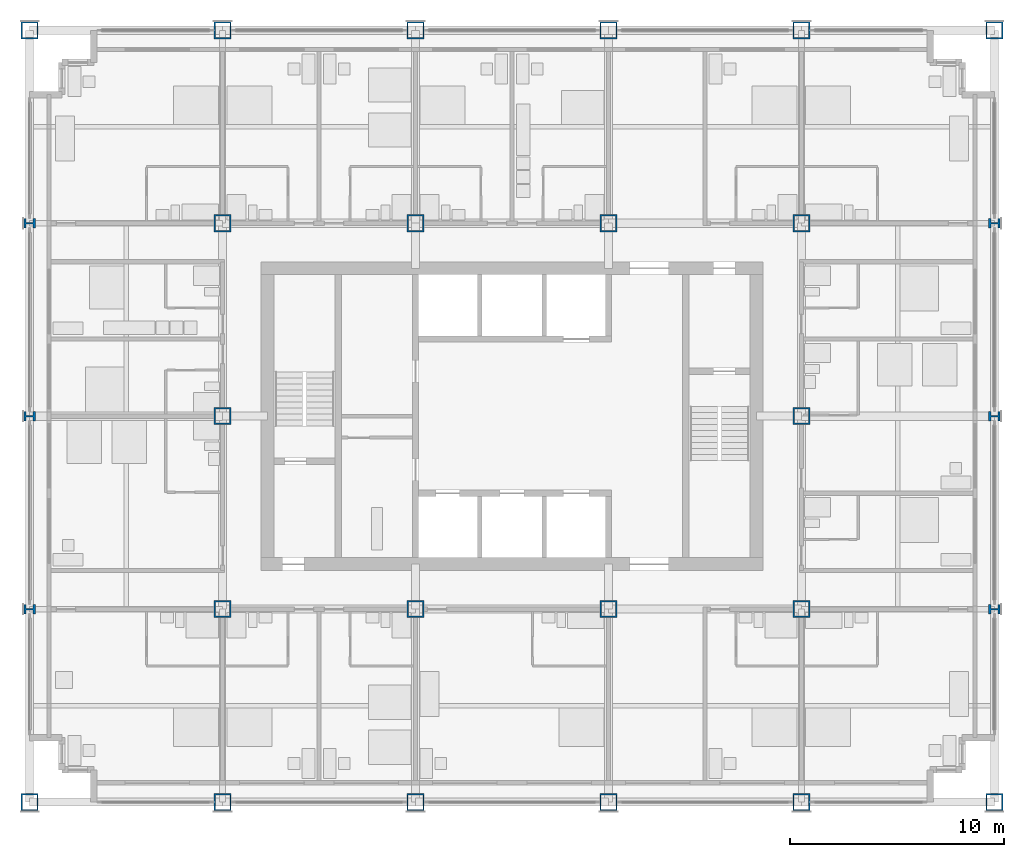
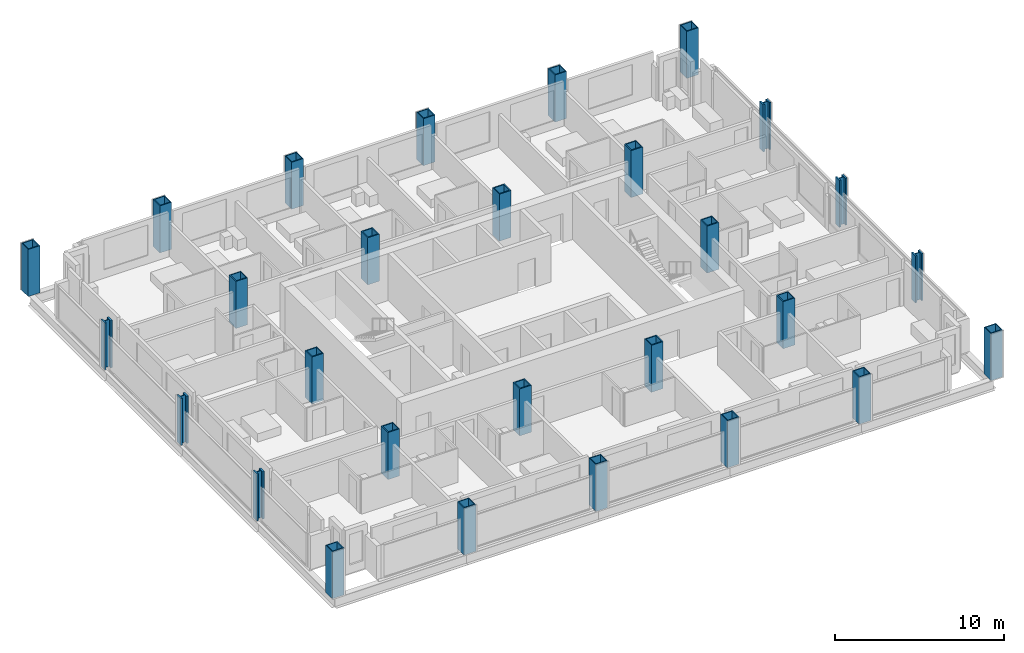
# One storey, part 1 of 17: 28 columns.
"""IFC4 building model written with IfcOpenShell, lengths in metres."""

import ifcopenshell
import ifcopenshell.guid

model = None  # the IFC model being written
_history = None  # IfcOwnerHistory: only IFC2X3 demands one
_inside = {}  # id of a spatial element -> (the spatial element, [elements in it])
_under = {}  # id of a project, library or spatial element -> (it, [spatial elements below it])
_declared = {}  # id of a project -> (the project, [libraries it declares])
_typed = {}  # id of a type object -> (the type object, [elements of that type])
_made_of = {}  # id of a material, layer set ... -> (it, [elements and type objects made of it])


def new_model(schema):
    """Start an empty IFC model of exactly this schema.

    Asked for "IFC4X3", IfcOpenShell would pick the latest addendum, in which some entities
    have other attributes; the version numbers below select the first issue.
    IFC2X3 requires an IfcOwnerHistory on every rooted entity: one is made here for all.
    """
    global model, _history
    if schema == "IFC4X3":
        model = ifcopenshell.file(schema_version=(4, 3, 0, 0))
    else:
        model = ifcopenshell.file(schema=schema)
    _inside.clear()
    _under.clear()
    _declared.clear()
    _typed.clear()
    _made_of.clear()
    _history = None
    if model.schema == "IFC2X3":
        org = make("IfcOrganization", Name="unknown")
        user = make(
            "IfcPersonAndOrganization",
            ThePerson=make("IfcPerson", FamilyName="unknown"),
            TheOrganization=org,
        )
        app = make(
            "IfcApplication",
            ApplicationDeveloper=org,
            Version="unknown",
            ApplicationFullName="unknown",
            ApplicationIdentifier="unknown",
        )
        _history = make(
            "IfcOwnerHistory",
            OwningUser=user,
            OwningApplication=app,
            ChangeAction="ADDED",
            CreationDate=0,
        )
    return model


def make(cls, **values):
    """One entity of the class cls with the attributes given. An attribute that is None is left unset."""
    return model.create_entity(
        cls, **{name: value for name, value in values.items() if value is not None}
    )


def rooted(cls, **values):
    """An entity with a GlobalId (a new one), such as an element, a storey or a relation."""
    return make(cls, GlobalId=ifcopenshell.guid.new(), OwnerHistory=_history, **values)


def si_unit(unit_type, name, prefix=None):
    """IfcSIUnit, for example si_unit("LENGTHUNIT", "METRE", prefix="MILLI")."""
    return make("IfcSIUnit", UnitType=unit_type, Prefix=prefix, Name=name)


def assignment(units):
    """IfcUnitAssignment: the units of a project."""
    return None if units is None else make("IfcUnitAssignment", Units=units)


def point(xyz):
    """IfcCartesianPoint."""
    return None if xyz is None else make("IfcCartesianPoint", Coordinates=xyz)


def direction(xyz):
    """IfcDirection."""
    return None if xyz is None else make("IfcDirection", DirectionRatios=xyz)


def frame(location, z_axis=None, x_axis=None):
    """IfcAxis2Placement3D, a coordinate frame: its origin and axes. An axis left out is left unset."""
    return make(
        "IfcAxis2Placement3D",
        Location=point(location),
        Axis=direction(z_axis),
        RefDirection=direction(x_axis),
    )


def frame_2d(location, x_axis=None):
    """IfcAxis2Placement2D, a coordinate frame in the plane: its origin and x axis."""
    return make(
        "IfcAxis2Placement2D", Location=point(location), RefDirection=direction(x_axis)
    )


def origin():
    """The frame at (0, 0, 0) with its axes left unset."""
    return frame((0.0, 0.0, 0.0))


def origin_2d():
    """The frame at (0, 0) in the plane with its x axis left unset."""
    return frame_2d((0.0, 0.0))


def place(relative_to, where):
    """IfcLocalPlacement: puts the frame where relative to a parent placement (None: the world)."""
    return make(
        "IfcLocalPlacement", PlacementRelTo=relative_to, RelativePlacement=where
    )


def context(
    kind, dimensions, precision=None, world=None, true_north=None, identifier=None
):
    """IfcGeometricRepresentationContext, for example the 3D "Model" context."""
    return make(
        "IfcGeometricRepresentationContext",
        ContextIdentifier=identifier,
        ContextType=kind,
        CoordinateSpaceDimension=dimensions,
        Precision=precision,
        WorldCoordinateSystem=world,
        TrueNorth=true_north,
    )


def subcontext(parent, identifier, kind, view, scale=None):
    """IfcGeometricRepresentationSubContext, for example "Body" below "Model"."""
    return make(
        "IfcGeometricRepresentationSubContext",
        ContextIdentifier=identifier,
        ContextType=kind,
        ParentContext=parent,
        TargetScale=scale,
        TargetView=view,
    )


def project(units=None, contexts=None):
    """IfcProject with its units and contexts."""
    return rooted(
        "IfcProject",
        Name="project",
        RepresentationContexts=contexts,
        UnitsInContext=assignment(units),
    )


def spatial(cls, under=None, at=None, **own):
    """A site, building, storey or space (cls), placed at a placement, below another one or the project."""
    s = rooted(cls, ObjectPlacement=at, **own)
    if under is not None:
        _under.setdefault(under.id(), (under, []))[1].append(s)
    return s


def profile(cls, at=None, kind="AREA", **sizes):
    """A parametric profile (cls). Its sizes go by their IFC names, for example OverallWidth=200.0."""
    return make(cls, ProfileType=kind, Position=at, **sizes)


def hollow_rectangle(**sizes):
    """IfcRectangleHollowProfileDef."""
    return profile("IfcRectangleHollowProfileDef", **sizes)


def i_section(**sizes):
    """IfcIShapeProfileDef."""
    return profile("IfcIShapeProfileDef", **sizes)


def extrude(swept, where, along, depth):
    """IfcExtrudedAreaSolid: the profile swept, set in the frame where, extruded along a direction by depth."""
    return make(
        "IfcExtrudedAreaSolid",
        SweptArea=swept,
        Position=where,
        ExtrudedDirection=direction(along),
        Depth=depth,
    )


def shape(context_of_items, identifier, shape_type, items):
    """IfcShapeRepresentation: the items that make up one representation, for example the "Body"."""
    return make(
        "IfcShapeRepresentation",
        ContextOfItems=context_of_items,
        RepresentationIdentifier=identifier,
        RepresentationType=shape_type,
        Items=items,
    )


def material(Name=None, Category=None):
    """IfcMaterial."""
    return make("IfcMaterial", Name=Name, Category=Category)


def material_profile(
    of_material, cross_section, Name=None, Category=None, Priority=None
):
    """IfcMaterialProfile: a cross section and its material."""
    return make(
        "IfcMaterialProfile",
        Name=Name,
        Material=of_material,
        Profile=cross_section,
        Priority=Priority,
        Category=Category,
    )


def profile_set(profiles, Name=None, composite=None):
    """IfcMaterialProfileSet."""
    return make(
        "IfcMaterialProfileSet",
        Name=Name,
        MaterialProfiles=profiles,
        CompositeProfile=composite,
    )


def made_of(thing, what):
    """Note that an element or type object is made of a material, layer set ...; save() writes the relation."""
    if what is not None:
        _made_of.setdefault(what.id(), (what, []))[1].append(thing)
    return thing


def type_object(cls, material=None, **own):
    """A type object (cls), such as IfcWallType, which elements share."""
    return made_of(rooted(cls, **own), material)


def element(
    cls,
    number,
    at=None,
    inside=None,
    cuts=None,
    type_object=None,
    material=None,
    context=None,
    identifier="Body",
    shape_type=None,
    held_by="IfcProductDefinitionShape",
    body=None,
    shapes=None,
    **own,
):
    """One element of the class cls, such as IfcWall. Its Tag is "e" and its number.

    at: its placement. inside: the storey or other place that contains it. cuts: it is an
    opening in that element (IfcRelVoidsElement). A single representation is given by context,
    identifier, shape_type and body (its items); several are given by shapes. held_by: the class
    of the entity that holds the representations. save() writes the other relations.
    """
    e = rooted(cls, Tag="e%d" % number, ObjectPlacement=at, **own)
    if body is not None:
        shapes = [shape(context, identifier, shape_type, body)]
    if shapes is not None:
        e.Representation = make(held_by, Representations=shapes)
    if inside is not None:
        _inside.setdefault(inside.id(), (inside, []))[1].append(e)
    if cuts is not None:
        rooted(
            "IfcRelVoidsElement", RelatingBuildingElement=cuts, RelatedOpeningElement=e
        )
    if type_object is not None:
        _typed.setdefault(type_object.id(), (type_object, []))[1].append(e)
    return made_of(e, material)


def aggregate(whole, parts):
    """IfcRelAggregates: a whole, such as a stair, and the parts it consists of."""
    return rooted("IfcRelAggregates", RelatingObject=whole, RelatedObjects=parts)


def save(model, path):
    """Write the relations noted so far, then the file.

    IfcRelAggregates (storeys below a building ...), IfcRelContainedInSpatialStructure (elements
    in a storey), IfcRelDefinesByType, IfcRelAssociatesMaterial and IfcRelDeclares: one each for
    every whole, place, type object, material and project.
    """
    for whole, parts in _under.values():
        aggregate(whole, parts)
    for where, things in _inside.values():
        rooted(
            "IfcRelContainedInSpatialStructure",
            RelatedElements=things,
            RelatingStructure=where,
        )
    for kind, things in _typed.values():
        rooted("IfcRelDefinesByType", RelatedObjects=things, RelatingType=kind)
    for what, things in _made_of.values():
        rooted("IfcRelAssociatesMaterial", RelatedObjects=things, RelatingMaterial=what)
    for by, libraries in _declared.values():
        rooted("IfcRelDeclares", RelatingContext=by, RelatedDefinitions=libraries)
    model.write(path)


model = new_model("IFC4")

# Units and contexts
model_context = context("Model", 3, precision=1e-05, world=origin(), true_north=direction((0.0, 1.0)))
body_context = subcontext(model_context, "Body", "Model", "MODEL_VIEW")
ifc_project = project(units=[si_unit("LENGTHUNIT", "METRE"), si_unit("AREAUNIT", "SQUARE_METRE"), si_unit("VOLUMEUNIT", "CUBIC_METRE"), si_unit("PLANEANGLEUNIT", "RADIAN"), si_unit("MASSUNIT", "GRAM", prefix="KILO")], contexts=[model_context])

# Site, building, storey
site_placement = place(None, origin())
site = spatial("IfcSite", under=ifc_project, at=site_placement, CompositionType="ELEMENT")
building_placement = place(site_placement, origin())
building = spatial("IfcBuilding", under=site, at=building_placement, Name="Loomwork Tower", CompositionType="ELEMENT")
storey_placement = place(building_placement, frame((0.0, 0.0, 145.199951171875)))
storey = spatial("IfcBuildingStorey", under=building, at=storey_placement, Name="L39", CompositionType="ELEMENT", Elevation=145.199951171875)

# Columns
ifc_material_1 = material(Name="Steel ASTM A572 Grade 50 plate", Category="steel")
ifc_material_profile_1 = material_profile(ifc_material_1, hollow_rectangle(XDim=0.800048828125, YDim=0.800048828125, WallThickness=0.06005859375, at=origin_2d()), Name="BOX800x60")
ifc_profile_set_1 = profile_set([ifc_material_profile_1], Name="Steel ASTM A572 Grade 50 plate")
column_type_1 = type_object("IfcColumnType", Name="EXOSKELETON PIER BOX800x60", PredefinedType="COLUMN", material=ifc_profile_set_1)
for number, where, z_axis, x_axis, name in (
    (1, (0.0, 0.0, 0.0), (0.0, 0.0, 1.0), (1.0, 0.0, 0.0), "Exoskeleton Pier D/2 L39"),
    (2, (0.0, 36.0, 0.0), (0.0, 0.0, 1.0), (1.0, 0.0, 0.0), "Exoskeleton Pier H/2 L39"),
    (3, (9.0, 0.0, 0.0), (0.0, 0.0, 1.0), (1.0, 0.0, 0.0), "Exoskeleton Pier D/3 L39"),
    (4, (9.0, 36.0, 0.0), (0.0, 0.0, 1.0), (1.0, 0.0, 0.0), "Exoskeleton Pier H/3 L39"),
    (5, (18.0, 0.0, 0.0), (0.0, 0.0, 1.0), (1.0, 0.0, 0.0), "Exoskeleton Pier D/4 L39"),
    (6, (18.0, 36.0, 0.0), (0.0, 0.0, 1.0), (1.0, 0.0, 0.0), "Exoskeleton Pier H/4 L39"),
    (7, (27.0, 0.0, 0.0), (0.0, 0.0, 1.0), (1.0, 0.0, 0.0), "Exoskeleton Pier D/5 L39"),
    (8, (27.0, 36.0, 0.0), (0.0, 0.0, 1.0), (1.0, 0.0, 0.0), "Exoskeleton Pier H/5 L39"),
    (9, (36.0, 0.0, 0.0), (0.0, 0.0, 1.0), (1.0, 0.0, 0.0), "Exoskeleton Pier D/6 L39"),
    (10, (36.0, 36.0, 0.0), (0.0, 0.0, 1.0), (1.0, 0.0, 0.0), "Exoskeleton Pier H/6 L39"),
    (11, (45.0, 0.0, 0.0), (0.0, 0.0, 1.0), (1.0, 0.0, 0.0), "Exoskeleton Pier D/7 L39"),
    (12, (45.0, 36.0, 0.0), (0.0, 0.0, 1.0), (1.0, 0.0, 0.0), "Exoskeleton Pier H/7 L39"),
):
    element("IfcColumn", number, at=place(storey_placement, frame(where, z_axis=z_axis, x_axis=x_axis)), inside=storey, type_object=column_type_1, Name=name, PredefinedType="COLUMN", context=body_context, shape_type="SweptSolid", body=[
        extrude(hollow_rectangle(XDim=0.800048828125, YDim=0.800048828125, WallThickness=0.06005859375, at=origin_2d()), origin(), (0.0, 0.0, 1.0), 3.400146484375),
    ])
ifc_material_2 = material(Name="Steel ASTM A992", Category="steel")
ifc_material_profile_2 = material_profile(ifc_material_2, i_section(OverallWidth=0.44189453125, OverallDepth=0.53076171875, WebThickness=0.06591796875, FlangeThickness=0.105712890625, at=origin_2d()), Name="W14x605")
ifc_profile_set_2 = profile_set([ifc_material_profile_2], Name="Steel ASTM A992")
column_type_2 = type_object("IfcColumnType", Name="EXOSKELETON PIER W14x605", PredefinedType="COLUMN", material=ifc_profile_set_2)
for number, where, z_axis, x_axis, name in (
    (13, (0.0, 9.0, 0.0), (0.0, 0.0, 1.0), (0.0, 1.0, 0.0), "Exoskeleton Pier E/2 L39"),
    (14, (0.0, 18.0, 0.0), (0.0, 0.0, 1.0), (0.0, 1.0, 0.0), "Exoskeleton Pier F/2 L39"),
    (15, (0.0, 27.0, 0.0), (0.0, 0.0, 1.0), (0.0, 1.0, 0.0), "Exoskeleton Pier G/2 L39"),
    (16, (45.0, 9.0, 0.0), (0.0, 0.0, 1.0), (0.0, 1.0, 0.0), "Exoskeleton Pier E/7 L39"),
    (17, (45.0, 18.0, 0.0), (0.0, 0.0, 1.0), (0.0, 1.0, 0.0), "Exoskeleton Pier F/7 L39"),
    (18, (45.0, 27.0, 0.0), (0.0, 0.0, 1.0), (0.0, 1.0, 0.0), "Exoskeleton Pier G/7 L39"),
):
    element("IfcColumn", number, at=place(storey_placement, frame(where, z_axis=z_axis, x_axis=x_axis)), inside=storey, type_object=column_type_2, Name=name, PredefinedType="COLUMN", context=body_context, shape_type="SweptSolid", body=[
        extrude(i_section(OverallWidth=0.44189453125, OverallDepth=0.53076171875, WebThickness=0.06591796875, FlangeThickness=0.105712890625, at=origin_2d()), origin(), (0.0, 0.0, 1.0), 3.400146484375),
    ])
ifc_material_3 = material(Name="Steel ASTM A572 Grade 50 plate", Category="steel")
ifc_material_profile_3 = material_profile(ifc_material_3, hollow_rectangle(XDim=0.800048828125, YDim=0.800048828125, WallThickness=0.070068359375, at=origin_2d()), Name="BOX800x70")
ifc_profile_set_3 = profile_set([ifc_material_profile_3], Name="Steel ASTM A572 Grade 50 plate")
column_type_3 = type_object("IfcColumnType", Name="TOWER COLUMN BOX800x70", PredefinedType="COLUMN", material=ifc_profile_set_3)
for number, where, z_axis, x_axis, name in (
    (19, (9.0, 9.0, 0.0), (0.0, 0.0, 1.0), (1.0, 0.0, 0.0), "Tower Column E/3 L39"),
    (20, (9.0, 18.0, 0.0), (0.0, 0.0, 1.0), (1.0, 0.0, 0.0), "Tower Column F/3 L39"),
    (21, (9.0, 27.0, 0.0), (0.0, 0.0, 1.0), (1.0, 0.0, 0.0), "Tower Column G/3 L39"),
    (22, (18.0, 9.0, 0.0), (0.0, 0.0, 1.0), (1.0, 0.0, 0.0), "Tower Column E/4 L39"),
    (23, (18.0, 27.0, 0.0), (0.0, 0.0, 1.0), (1.0, 0.0, 0.0), "Tower Column G/4 L39"),
    (24, (27.0, 9.0, 0.0), (0.0, 0.0, 1.0), (1.0, 0.0, 0.0), "Tower Column E/5 L39"),
    (25, (27.0, 27.0, 0.0), (0.0, 0.0, 1.0), (1.0, 0.0, 0.0), "Tower Column G/5 L39"),
    (26, (36.0, 9.0, 0.0), (0.0, 0.0, 1.0), (0.0, 1.0, 0.0), "Tower Column E/6 L39"),
    (27, (36.0, 18.0, 0.0), (0.0, 0.0, 1.0), (0.0, 1.0, 0.0), "Tower Column F/6 L39"),
    (28, (36.0, 27.0, 0.0), (0.0, 0.0, 1.0), (1.0, 0.0, 0.0), "Tower Column G/6 L39"),
):
    element("IfcColumn", number, at=place(storey_placement, frame(where, z_axis=z_axis, x_axis=x_axis)), inside=storey, type_object=column_type_3, Name=name, PredefinedType="COLUMN", context=body_context, shape_type="SweptSolid", body=[
        extrude(hollow_rectangle(XDim=0.800048828125, YDim=0.800048828125, WallThickness=0.070068359375, at=origin_2d()), origin(), (0.0, 0.0, 1.0), 3.400146484375),
    ])

save(model, "model.ifc")
